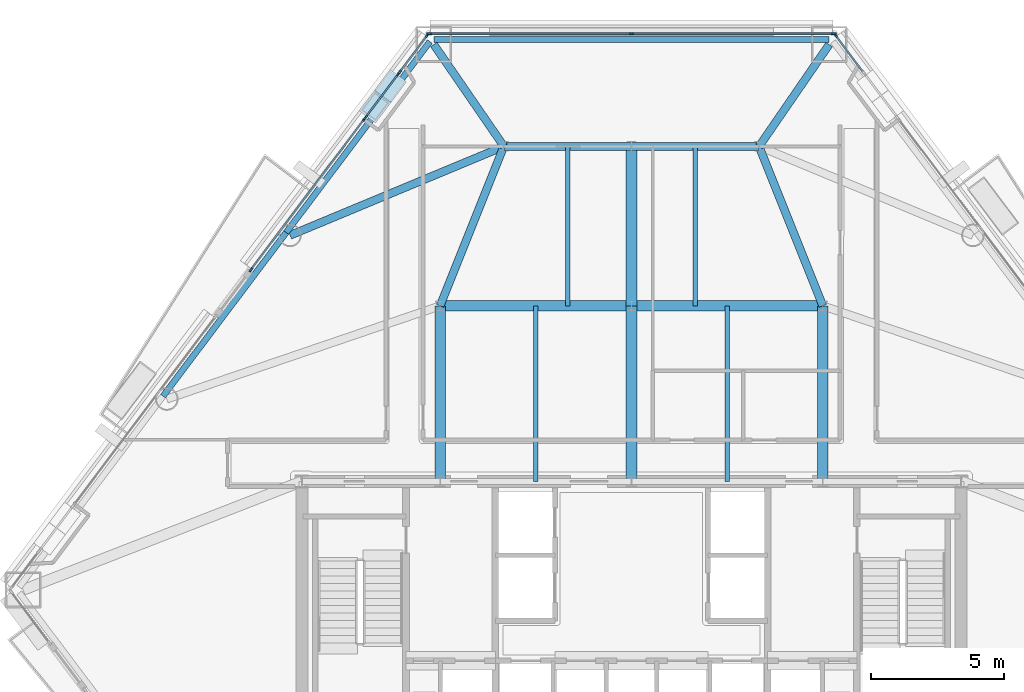
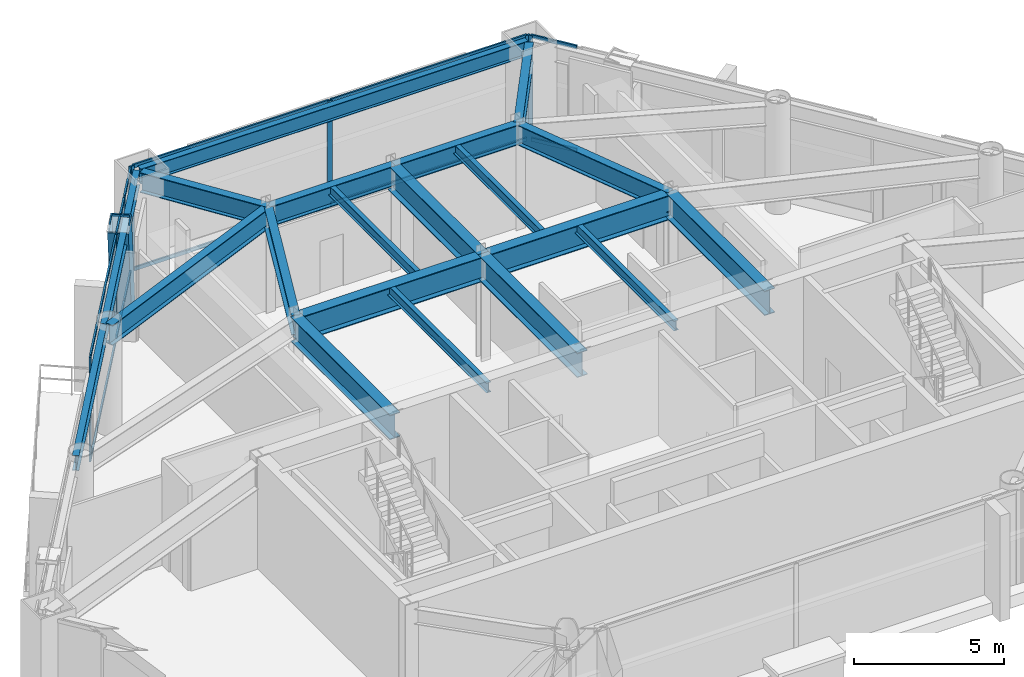
# One storey, part 3 of 10: 23 members, 20 beams, 5 elements without a shape of their own.
"""IFC4 building model written with IfcOpenShell, lengths in metres."""

from ifc_helpers import new_model, si_unit, direction, frame, origin, origin_2d, place, context, subcontext, project, spatial, rectangle, hollow_rectangle, i_section, extrude, material, layer, layer_set, material_profile, profile_set, type_object, element, aggregate, save


model = new_model("IFC4")

# Units and contexts
model_context = context("Model", 3, precision=1e-05, world=origin(), true_north=direction((0.0, 1.0)))
body_context = subcontext(model_context, "Body", "Model", "MODEL_VIEW")
ifc_project = project(units=[si_unit("LENGTHUNIT", "METRE"), si_unit("AREAUNIT", "SQUARE_METRE"), si_unit("VOLUMEUNIT", "CUBIC_METRE"), si_unit("PLANEANGLEUNIT", "RADIAN"), si_unit("MASSUNIT", "GRAM", prefix="KILO")], contexts=[model_context])

# Site, building, storey
site_placement = place(None, origin())
site = spatial("IfcSite", under=ifc_project, at=site_placement, CompositionType="ELEMENT")
building_placement = place(site_placement, origin())
building = spatial("IfcBuilding", under=site, at=building_placement, Name="Talgorran Terracotta Tower", CompositionType="ELEMENT")
storey_placement = place(building_placement, frame((0.0, 0.0, 60.300048828125)))
storey = spatial("IfcBuildingStorey", under=building, at=storey_placement, Name="L15", CompositionType="ELEMENT", Elevation=60.300048828125)

# Beams
ifc_material_1 = material(Name="Steel Grade 350 (350L0)", Category="steel")
ifc_material_profile_1 = material_profile(ifc_material_1, i_section(OverallWidth=0.39990234375, OverallDepth=1.0, WebThickness=0.01611328125, FlangeThickness=0.031005859375, at=origin_2d()), Name="1000WB296")
ifc_profile_set_1 = profile_set([ifc_material_profile_1], Name="Steel Grade 350 (350L0)")
beam_type_1 = type_object("IfcBeamType", Name="BM_1000WB296", PredefinedType="BEAM", material=ifc_profile_set_1)
for number, where, z_axis, x_axis, name in (
    (1, (-7.199951171875, -4.199951171875, 3.75), (0.0, 1.0, 0.0), (-1.0, 0.0, 0.0), "L15 Floor Girder G01"),
    (2, (0.0, -4.199951171875, 3.75), (0.0, 1.0, 0.0), (-1.0, 0.0, 0.0), "L15 Floor Girder G02"),
    (3, (7.199951171875, -4.199951171875, 3.75), (0.0, 1.0, 0.0), (-1.0, 0.0, 0.0), "L15 Floor Girder G03"),
):
    element("IfcBeam", number, at=place(storey_placement, frame(where, z_axis=z_axis, x_axis=x_axis)), inside=storey, type_object=beam_type_1, Name=name, PredefinedType="BEAM", context=body_context, shape_type="SweptSolid", body=[
        extrude(i_section(OverallWidth=0.39990234375, OverallDepth=1.0, WebThickness=0.01611328125, FlangeThickness=0.031005859375, at=origin_2d()), origin(), (0.0, 0.0, 1.0), 6.599853515625),
    ])
for number, where, z_axis, x_axis, name in (
    (4, (-7.199951171875, 2.39990234375, 3.75), (1.0, 0.0, 0.0), (0.0, 1.0, 0.0), "L15 Floor Girder G04"),
    (5, (0.0, 2.39990234375, 3.75), (1.0, 0.0, 0.0), (0.0, 1.0, 0.0), "L15 Floor Girder G05"),
):
    element("IfcBeam", number, at=place(storey_placement, frame(where, z_axis=z_axis, x_axis=x_axis)), inside=storey, type_object=beam_type_1, Name=name, PredefinedType="BEAM", context=body_context, shape_type="SweptSolid", body=[
        extrude(i_section(OverallWidth=0.39990234375, OverallDepth=1.0, WebThickness=0.01611328125, FlangeThickness=0.031005859375, at=origin_2d()), origin(), (0.0, 0.0, 1.0), 7.199951171875),
    ])
beam_1_placement = place(storey_placement, frame((0.0, 2.39990234375, 3.75), z_axis=(0.0, 1.0, 0.0), x_axis=(-1.0, 0.0, 0.0)))
element("IfcBeam", 6, at=beam_1_placement, inside=storey, type_object=beam_type_1, Name="L15 Floor Girder G09", PredefinedType="BEAM", context=body_context, shape_type="SweptSolid", body=[
    extrude(i_section(OverallWidth=0.39990234375, OverallDepth=1.0, WebThickness=0.01611328125, FlangeThickness=0.031005859375, at=origin_2d()), origin(), (0.0, 0.0, 1.0), 6.0),
])
ifc_material_2 = material(Name="Steel S355 (300PLUS)", Category="steel")
ifc_material_profile_2 = material_profile(ifc_material_2, i_section(OverallWidth=0.300048828125, OverallDepth=0.81591796875, WebThickness=0.013916015625, FlangeThickness=0.028076171875, at=origin_2d()), Name="800WB192")
ifc_profile_set_2 = profile_set([ifc_material_profile_2], Name="Steel S355 (300PLUS)")
beam_type_2 = type_object("IfcBeamType", Name="BM_800WB192", PredefinedType="BEAM", material=ifc_profile_set_2)
for number, where, z_axis, x_axis, name in (
    (7, (-7.199951171875, 2.39990234375, 3.842041015625), (0.371377648723, 0.928481901832, 0.0), (-0.928481901832, 0.371377648723, 0.0), "L15 Floor Girder G08"),
    (8, (7.199951171875, 2.39990234375, 3.842041015625), (-0.371377648723, 0.928481901832, 0.0), (-0.928481901832, -0.371377648723, 0.0), "L15 Floor Girder G10"),
):
    element("IfcBeam", number, at=place(storey_placement, frame(where, z_axis=z_axis, x_axis=x_axis)), inside=storey, type_object=beam_type_2, Name=name, PredefinedType="BEAM", context=body_context, shape_type="SweptSolid", body=[
        extrude(i_section(OverallWidth=0.300048828125, OverallDepth=0.81591796875, WebThickness=0.013916015625, FlangeThickness=0.028076171875, at=origin_2d()), origin(), (0.0, 0.0, 1.0), 6.462158203125),
    ])
for number, where, z_axis, x_axis, name in (
    (9, (-4.800048828125, 8.39990234375, 3.842041015625), (1.0, 0.0, 0.0), (0.0, 1.0, 0.0), "L15 Floor Girder G11"),
    (10, (0.0, 8.39990234375, 3.842041015625), (1.0, 0.0, 0.0), (0.0, 1.0, 0.0), "L15 Floor Girder G12"),
):
    element("IfcBeam", number, at=place(storey_placement, frame(where, z_axis=z_axis, x_axis=x_axis)), inside=storey, type_object=beam_type_2, Name=name, PredefinedType="BEAM", context=body_context, shape_type="SweptSolid", body=[
        extrude(i_section(OverallWidth=0.300048828125, OverallDepth=0.81591796875, WebThickness=0.013916015625, FlangeThickness=0.028076171875, at=origin_2d()), origin(), (0.0, 0.0, 1.0), 4.800048828125),
    ])
beam_2_placement = place(storey_placement, frame((-4.800048828125, 8.39990234375, 3.842041015625), z_axis=(-0.923207843364, -0.384301025177, 0.0), x_axis=(0.384301025177, -0.923207843364, 0.0)))
element("IfcBeam", 11, at=beam_2_placement, inside=storey, type_object=beam_type_2, Name="L15 Floor Girder G13", PredefinedType="BEAM", context=body_context, shape_type="SweptSolid", body=[
    extrude(i_section(OverallWidth=0.300048828125, OverallDepth=0.81591796875, WebThickness=0.013916015625, FlangeThickness=0.028076171875, at=origin_2d()), origin(), (0.0, 0.0, 1.0), 8.713623046875),
])
for number, where, z_axis, x_axis, name in (
    (12, (-4.800048828125, 8.39990234375, 3.842041015625), (-0.56684497014, 0.823824483629, 0.0), (-0.823824483629, -0.56684497014, 0.0), "L15 Floor Girder G15"),
    (13, (4.800048828125, 8.39990234375, 3.842041015625), (0.56684497014, 0.823824483629, 0.0), (-0.823824483629, 0.56684497014, 0.0), "L15 Floor Girder G16"),
):
    element("IfcBeam", number, at=place(storey_placement, frame(where, z_axis=z_axis, x_axis=x_axis)), inside=storey, type_object=beam_type_2, Name=name, PredefinedType="BEAM", context=body_context, shape_type="SweptSolid", body=[
        extrude(i_section(OverallWidth=0.300048828125, OverallDepth=0.81591796875, WebThickness=0.013916015625, FlangeThickness=0.028076171875, at=origin_2d()), origin(), (0.0, 0.0, 1.0), 4.6533203125),
    ])
ifc_material_profile_3 = material_profile(ifc_material_2, i_section(OverallWidth=0.177734375, OverallDepth=0.406494140625, WebThickness=0.0078125, FlangeThickness=0.0126953125, at=origin_2d()), Name="410UB59.7")
ifc_profile_set_3 = profile_set([ifc_material_profile_3], Name="Steel S355 (300PLUS)")
beam_type_3 = type_object("IfcBeamType", Name="BM_JS_410UB60", PredefinedType="JOIST", material=ifc_profile_set_3)
for number, where, z_axis, x_axis, name in (
    (14, (-3.60009765625, -4.199951171875, 4.046630859375), (0.0, 1.0, 0.0), (-1.0, 0.0, 0.0), "L15 Secondary Joist J01"),
    (15, (3.60009765625, -4.199951171875, 4.046630859375), (0.0, 1.0, 0.0), (-1.0, 0.0, 0.0), "L15 Secondary Joist J02"),
):
    element("IfcBeam", number, at=place(storey_placement, frame(where, z_axis=z_axis, x_axis=x_axis)), inside=storey, type_object=beam_type_3, Name=name, PredefinedType="JOIST", context=body_context, shape_type="SweptSolid", body=[
        extrude(i_section(OverallWidth=0.177734375, OverallDepth=0.406494140625, WebThickness=0.0078125, FlangeThickness=0.0126953125, at=origin_2d()), origin(), (0.0, 0.0, 1.0), 6.599853515625),
    ])
for number, where, z_axis, x_axis, name in (
    (16, (-2.39990234375, 2.39990234375, 4.046630859375), (0.0, 1.0, 0.0), (-1.0, 0.0, 0.0), "L15 Secondary Joist J03"),
    (17, (2.39990234375, 2.39990234375, 4.046630859375), (0.0, 1.0, 0.0), (-1.0, 0.0, 0.0), "L15 Secondary Joist J04"),
):
    element("IfcBeam", number, at=place(storey_placement, frame(where, z_axis=z_axis, x_axis=x_axis)), inside=storey, type_object=beam_type_3, Name=name, PredefinedType="JOIST", context=body_context, shape_type="SweptSolid", body=[
        extrude(i_section(OverallWidth=0.177734375, OverallDepth=0.406494140625, WebThickness=0.0078125, FlangeThickness=0.0126953125, at=origin_2d()), origin(), (0.0, 0.0, 1.0), 6.0),
    ])
ifc_material_profile_4 = material_profile(ifc_material_2, i_section(OverallWidth=0.22900390625, OverallDepth=0.611572265625, WebThickness=0.011962890625, FlangeThickness=0.01953125, at=origin_2d()), Name="610UB125")
ifc_profile_set_4 = profile_set([ifc_material_profile_4], Name="Steel S355 (300PLUS)")
beam_type_4 = type_object("IfcBeamType", Name="BM_SP_610UB125", PredefinedType="SPANDREL", material=ifc_profile_set_4)
beam_3_placement = place(storey_placement, frame((7.437744140625, 12.413330078125, 3.944091796875), z_axis=(-1.0, 0.0, 0.0), x_axis=(0.0, -1.0, 0.0)))
element("IfcBeam", 18, at=beam_3_placement, inside=storey, type_object=beam_type_4, Name="L15 Perimeter Spandrel Beam MC5-MC6", PredefinedType="SPANDREL", context=body_context, shape_type="SweptSolid", body=[
    extrude(i_section(OverallWidth=0.22900390625, OverallDepth=0.611572265625, WebThickness=0.011962890625, FlangeThickness=0.01953125, at=origin_2d()), origin(), (0.0, 0.0, 1.0), 14.87548828125),
])
beam_4_placement = place(storey_placement, frame((-7.58154296875, 12.341552734375, 3.944091796875), z_axis=(-0.601446008666, -0.798913448791, 0.0), x_axis=(0.798913448791, -0.601446008666, 0.0)))
element("IfcBeam", 19, at=beam_4_placement, inside=storey, type_object=beam_type_4, Name="L15 Perimeter Spandrel Beam MC6-FC5", PredefinedType="SPANDREL", context=body_context, shape_type="SweptSolid", body=[
    extrude(i_section(OverallWidth=0.22900390625, OverallDepth=0.611572265625, WebThickness=0.011962890625, FlangeThickness=0.01953125, at=origin_2d()), origin(), (0.0, 0.0, 1.0), 8.989501953125),
])
beam_5_placement = place(storey_placement, frame((-12.98828125, 5.15966796875, 3.944091796875), z_axis=(-0.601413481794, -0.798937934959, 0.0), x_axis=(0.798937934959, -0.601413481794, 0.0)))
element("IfcBeam", 20, at=beam_5_placement, inside=storey, type_object=beam_type_4, Name="L15 Perimeter Spandrel Beam FC5-FC6", PredefinedType="SPANDREL", context=body_context, shape_type="SweptSolid", body=[
    extrude(i_section(OverallWidth=0.22900390625, OverallDepth=0.611572265625, WebThickness=0.011962890625, FlangeThickness=0.01953125, at=origin_2d()), origin(), (0.0, 0.0, 1.0), 7.705322265625),
])

# Member
ifc_material_profile_5 = material_profile(ifc_material_1, hollow_rectangle(XDim=0.699951171875, YDim=0.89990234375, WallThickness=0.050048828125, at=origin_2d()), Name="WBOX900X700X50")
ifc_profile_set_5 = profile_set([ifc_material_profile_5], Name="Steel Grade 350 (350L0)")
member_type_1 = type_object("IfcMemberType", Name="MB_MEGA_900", PredefinedType="BRACE", material=ifc_profile_set_5)
member_1_placement = place(storey_placement, frame((-9.0634765625, 10.67236328125, -0.025146484375), z_axis=(-0.131946493077, -0.175263939587, 0.975639623245), x_axis=(0.79890788085, -0.601453404609, 0.0)))
element("IfcMember", 21, at=member_1_placement, inside=storey, type_object=member_type_1, Name="L15 Exterior Face Mega-Brace MB-1 (NWU)", PredefinedType="BRACE", context=body_context, shape_type="SweptSolid", body=[
    extrude(hollow_rectangle(XDim=0.699951171875, YDim=0.89990234375, WallThickness=0.050048828125, at=origin_2d()), origin(), (0.0, 0.0, 1.0), 4.407470703125),
])

# Curtain wall, member
ifc_material_3 = material(Name="Unitised Low-E Double Glazing", Category="glass")
ifc_layer = layer(ifc_material_3, 0.199951171875, Name="CW_SYS2_RES_LOW")
ifc_layer_set = layer_set([ifc_layer], Name="Unitised Low-E Double Glazing")
curtain_wall_type = type_object("IfcCurtainWallType", Name="CW_SYS2_RES_LOW", PredefinedType="NOTDEFINED", material=ifc_layer_set)
curtain_wall_1_placement = place(storey_placement, origin())
curtain_wall_1 = element("IfcCurtainWall", 22, at=curtain_wall_1_placement, inside=storey, type_object=curtain_wall_type, Name="CW-L15-F41C", PredefinedType="NOTDEFINED")
ifc_material_4 = material(Name="Architectural Aluminium 6063-T6", Category="aluminium")
ifc_material_profile_6 = material_profile(ifc_material_4, rectangle(XDim=0.06494140625, YDim=0.18505859375, at=origin_2d()), Name="CWM65X185")
ifc_profile_set_6 = profile_set([ifc_material_profile_6], Name="Architectural Aluminium 6063-T6")
member_type_2 = type_object("IfcMemberType", Name="MUL_65X185", PredefinedType="MULLION", material=ifc_profile_set_6)
member_2_placement = place(storey_placement, frame((7.680908203125, 12.575439453125, 0.0), z_axis=(0.0, 0.0, 1.0), x_axis=(-0.798906133428, -0.601455725695, 0.0)))
member_2 = element("IfcMember", 23, at=member_2_placement, type_object=member_type_2, Name="CW-L15-41C mullion 2", PredefinedType="MULLION", context=body_context, shape_type="SweptSolid", body=[
    extrude(rectangle(XDim=0.06494140625, YDim=0.18505859375, at=origin_2d()), origin(), (0.0, 0.0, 1.0), 4.25),
])

# Curtain wall, members
curtain_wall_2_placement = place(storey_placement, origin())
curtain_wall_2 = element("IfcCurtainWall", 24, at=curtain_wall_2_placement, inside=storey, type_object=curtain_wall_type, Name="CW-L15-F4", PredefinedType="NOTDEFINED")
member_3_placement = place(storey_placement, frame((7.604736328125, 12.63330078125, 0.0), z_axis=(0.0, 0.0, 1.0), x_axis=(0.0, -1.0, 0.0)))
member_3 = element("IfcMember", 25, at=member_3_placement, type_object=member_type_2, Name="CW-L15-4 mullion 1", PredefinedType="MULLION", context=body_context, shape_type="SweptSolid", body=[
    extrude(rectangle(XDim=0.06494140625, YDim=0.18505859375, at=origin_2d()), origin(), (0.0, 0.0, 1.0), 4.25),
])
member_4_placement = place(storey_placement, frame((0.0, 12.63330078125, 0.0), z_axis=(0.0, 0.0, 1.0), x_axis=(0.0, -1.0, 0.0)))
member_4 = element("IfcMember", 26, at=member_4_placement, type_object=member_type_2, Name="CW-L15-4 mullion 2", PredefinedType="MULLION", context=body_context, shape_type="SweptSolid", body=[
    extrude(rectangle(XDim=0.06494140625, YDim=0.18505859375, at=origin_2d()), origin(), (0.0, 0.0, 1.0), 4.25),
])
member_5_placement = place(storey_placement, frame((-7.604736328125, 12.63330078125, 0.0), z_axis=(0.0, 0.0, 1.0), x_axis=(0.0, -1.0, 0.0)))
member_5 = element("IfcMember", 27, at=member_5_placement, type_object=member_type_2, Name="CW-L15-4 mullion 3", PredefinedType="MULLION", context=body_context, shape_type="SweptSolid", body=[
    extrude(rectangle(XDim=0.06494140625, YDim=0.18505859375, at=origin_2d()), origin(), (0.0, 0.0, 1.0), 4.25),
])

curtain_wall_3_placement = place(storey_placement, origin())
curtain_wall_3 = element("IfcCurtainWall", 28, at=curtain_wall_3_placement, inside=storey, type_object=curtain_wall_type, Name="CW-L15-F60", PredefinedType="NOTDEFINED")
member_6_placement = place(storey_placement, frame((-7.680908203125, 12.575439453125, 0.0), z_axis=(0.0, 0.0, 1.0), x_axis=(0.798906133428, -0.601455725695, 0.0)))
member_6 = element("IfcMember", 29, at=member_6_placement, type_object=member_type_2, Name="CW-L15-60 mullion 1", PredefinedType="MULLION", context=body_context, shape_type="SweptSolid", body=[
    extrude(rectangle(XDim=0.06494140625, YDim=0.18505859375, at=origin_2d()), origin(), (0.0, 0.0, 1.0), 4.25),
])
member_7_placement = place(storey_placement, frame((-8.718505859375, 11.197021484375, 0.0), z_axis=(0.0, 0.0, 1.0), x_axis=(0.798906133428, -0.601455725695, 0.0)))
member_7 = element("IfcMember", 30, at=member_7_placement, type_object=member_type_2, Name="CW-L15-60 mullion 2", PredefinedType="MULLION", context=body_context, shape_type="SweptSolid", body=[
    extrude(rectangle(XDim=0.06494140625, YDim=0.18505859375, at=origin_2d()), origin(), (0.0, 0.0, 1.0), 4.25),
])

curtain_wall_4_placement = place(storey_placement, origin())
curtain_wall_4 = element("IfcCurtainWall", 31, at=curtain_wall_4_placement, inside=storey, type_object=curtain_wall_type, Name="CW-L15-F60B", PredefinedType="NOTDEFINED")
member_8_placement = place(storey_placement, frame((-8.763671875, 11.136962890625, 0.0), z_axis=(0.0, 0.0, 1.0), x_axis=(0.798930868985, -0.601422868358, 0.0)))
member_8 = element("IfcMember", 32, at=member_8_placement, type_object=member_type_2, Name="CW-L15-60B mullion 1", PredefinedType="MULLION", context=body_context, shape_type="SweptSolid", body=[
    extrude(rectangle(XDim=0.06494140625, YDim=0.18505859375, at=origin_2d()), origin(), (0.0, 0.0, 1.0), 4.25),
])
member_9_placement = place(storey_placement, frame((-10.008544921875, 9.483154296875, 0.0), z_axis=(0.0, 0.0, 1.0), x_axis=(0.798930868985, -0.601422868358, 0.0)))
member_9 = element("IfcMember", 33, at=member_9_placement, type_object=member_type_2, Name="CW-L15-60B mullion 2", PredefinedType="MULLION", context=body_context, shape_type="SweptSolid", body=[
    extrude(rectangle(XDim=0.06494140625, YDim=0.18505859375, at=origin_2d()), origin(), (0.0, 0.0, 1.0), 4.25),
])

curtain_wall_5_placement = place(storey_placement, origin())
curtain_wall_5 = element("IfcCurtainWall", 34, at=curtain_wall_5_placement, inside=storey, type_object=curtain_wall_type, Name="CW-L15-F60C", PredefinedType="NOTDEFINED")
member_10_placement = place(storey_placement, frame((-10.0537109375, 9.42333984375, 0.0), z_axis=(0.0, 0.0, 1.0), x_axis=(0.798919171588, -0.601438406879, 0.0)))
member_10 = element("IfcMember", 35, at=member_10_placement, type_object=member_type_2, Name="CW-L15-60C mullion 1", PredefinedType="MULLION", context=body_context, shape_type="SweptSolid", body=[
    extrude(rectangle(XDim=0.06494140625, YDim=0.18505859375, at=origin_2d()), origin(), (0.0, 0.0, 1.0), 4.25),
])
member_11_placement = place(storey_placement, frame((-14.3134765625, 3.764892578125, 0.0), z_axis=(0.0, 0.0, 1.0), x_axis=(0.798919171588, -0.601438406879, 0.0)))
member_11 = element("IfcMember", 36, at=member_11_placement, type_object=member_type_2, Name="CW-L15-60C mullion 2", PredefinedType="MULLION", context=body_context, shape_type="SweptSolid", body=[
    extrude(rectangle(XDim=0.06494140625, YDim=0.18505859375, at=origin_2d()), origin(), (0.0, 0.0, 1.0), 4.25),
])

# Member
ifc_material_profile_7 = material_profile(ifc_material_4, rectangle(XDim=0.06494140625, YDim=0.14990234375, at=origin_2d()), Name="CWT65X150")
ifc_profile_set_7 = profile_set([ifc_material_profile_7], Name="Architectural Aluminium 6063-T6")
member_type_3 = type_object("IfcMemberType", Name="TRN_65X150", PredefinedType="USERDEFINED", material=ifc_profile_set_7)
member_12_placement = place(storey_placement, frame((8.698974609375, 11.222900390625, 0.032470703125), z_axis=(-0.601434241842, 0.798922307073, 0.0), x_axis=(-0.798922307073, -0.601434241842, 0.0)))
member_12 = element("IfcMember", 37, at=member_12_placement, type_object=member_type_3, Name="CW-L15-41C transom 1.1", ObjectType="TRANSOM", PredefinedType="USERDEFINED", context=body_context, shape_type="SweptSolid", body=[
    extrude(rectangle(XDim=0.06494140625, YDim=0.14990234375, at=origin_2d()), origin(), (0.0, 0.0, 1.0), 1.66015625),
])

member_13_placement = place(storey_placement, frame((8.698974609375, 11.222900390625, 4.217529296875), z_axis=(-0.601434241842, 0.798922307073, 0.0), x_axis=(-0.798922307073, -0.601434241842, 0.0)))
member_13 = element("IfcMember", 38, at=member_13_placement, type_object=member_type_3, Name="CW-L15-41C transom 1.2", ObjectType="TRANSOM", PredefinedType="USERDEFINED", context=body_context, shape_type="SweptSolid", body=[
    extrude(rectangle(XDim=0.06494140625, YDim=0.14990234375, at=origin_2d()), origin(), (0.0, 0.0, 1.0), 1.66015625),
])

aggregate(curtain_wall_1, [member_2, member_12, member_13])

member_14_placement = place(storey_placement, frame((7.572265625, 12.63330078125, 0.032470703125), z_axis=(-1.0, 0.0, 0.0), x_axis=(0.0, -1.0, 0.0)))
member_14 = element("IfcMember", 39, at=member_14_placement, type_object=member_type_3, Name="CW-L15-4 transom 1.1", ObjectType="TRANSOM", PredefinedType="USERDEFINED", context=body_context, shape_type="SweptSolid", body=[
    extrude(rectangle(XDim=0.06494140625, YDim=0.14990234375, at=origin_2d()), origin(), (0.0, 0.0, 1.0), 7.539794921875),
])

member_15_placement = place(storey_placement, frame((7.572265625, 12.63330078125, 4.217529296875), z_axis=(-1.0, 0.0, 0.0), x_axis=(0.0, -1.0, 0.0)))
member_15 = element("IfcMember", 40, at=member_15_placement, type_object=member_type_3, Name="CW-L15-4 transom 1.2", ObjectType="TRANSOM", PredefinedType="USERDEFINED", context=body_context, shape_type="SweptSolid", body=[
    extrude(rectangle(XDim=0.06494140625, YDim=0.14990234375, at=origin_2d()), origin(), (0.0, 0.0, 1.0), 7.539794921875),
])

member_16_placement = place(storey_placement, frame((-0.032470703125, 12.63330078125, 0.032470703125), z_axis=(-1.0, 0.0, 0.0), x_axis=(0.0, -1.0, 0.0)))
member_16 = element("IfcMember", 41, at=member_16_placement, type_object=member_type_3, Name="CW-L15-4 transom 2.1", ObjectType="TRANSOM", PredefinedType="USERDEFINED", context=body_context, shape_type="SweptSolid", body=[
    extrude(rectangle(XDim=0.06494140625, YDim=0.14990234375, at=origin_2d()), origin(), (0.0, 0.0, 1.0), 7.539794921875),
])

member_17_placement = place(storey_placement, frame((-0.032470703125, 12.63330078125, 4.217529296875), z_axis=(-1.0, 0.0, 0.0), x_axis=(0.0, -1.0, 0.0)))
member_17 = element("IfcMember", 42, at=member_17_placement, type_object=member_type_3, Name="CW-L15-4 transom 2.2", ObjectType="TRANSOM", PredefinedType="USERDEFINED", context=body_context, shape_type="SweptSolid", body=[
    extrude(rectangle(XDim=0.06494140625, YDim=0.14990234375, at=origin_2d()), origin(), (0.0, 0.0, 1.0), 7.539794921875),
])

aggregate(curtain_wall_2, [member_3, member_4, member_5, member_14, member_15, member_16, member_17])

member_18_placement = place(storey_placement, frame((-7.700439453125, 12.54931640625, 0.032470703125), z_axis=(-0.601434241842, -0.798922307073, 0.0), x_axis=(0.798922307073, -0.601434241842, 0.0)))
member_18 = element("IfcMember", 43, at=member_18_placement, type_object=member_type_3, Name="CW-L15-60 transom 1.1", ObjectType="TRANSOM", PredefinedType="USERDEFINED", context=body_context, shape_type="SweptSolid", body=[
    extrude(rectangle(XDim=0.06494140625, YDim=0.14990234375, at=origin_2d()), origin(), (0.0, 0.0, 1.0), 1.66015625),
])

member_19_placement = place(storey_placement, frame((-7.700439453125, 12.54931640625, 4.217529296875), z_axis=(-0.601434241842, -0.798922307073, 0.0), x_axis=(0.798922307073, -0.601434241842, 0.0)))
member_19 = element("IfcMember", 44, at=member_19_placement, type_object=member_type_3, Name="CW-L15-60 transom 1.2", ObjectType="TRANSOM", PredefinedType="USERDEFINED", context=body_context, shape_type="SweptSolid", body=[
    extrude(rectangle(XDim=0.06494140625, YDim=0.14990234375, at=origin_2d()), origin(), (0.0, 0.0, 1.0), 1.66015625),
])

aggregate(curtain_wall_3, [member_6, member_7, member_18, member_19])

member_20_placement = place(storey_placement, frame((-8.783203125, 11.111083984375, 0.032470703125), z_axis=(-0.601362818016, -0.798976070423, 0.0), x_axis=(0.798976070423, -0.601362818016, 0.0)))
member_20 = element("IfcMember", 45, at=member_20_placement, type_object=member_type_3, Name="CW-L15-60B transom 1.1", ObjectType="TRANSOM", PredefinedType="USERDEFINED", context=body_context, shape_type="SweptSolid", body=[
    extrude(rectangle(XDim=0.06494140625, YDim=0.14990234375, at=origin_2d()), origin(), (0.0, 0.0, 1.0), 2.005126953125),
])

member_21_placement = place(storey_placement, frame((-8.783203125, 11.111083984375, 4.217529296875), z_axis=(-0.601362818016, -0.798976070423, 0.0), x_axis=(0.798976070423, -0.601362818016, 0.0)))
member_21 = element("IfcMember", 46, at=member_21_placement, type_object=member_type_3, Name="CW-L15-60B transom 1.2", ObjectType="TRANSOM", PredefinedType="USERDEFINED", context=body_context, shape_type="SweptSolid", body=[
    extrude(rectangle(XDim=0.06494140625, YDim=0.14990234375, at=origin_2d()), origin(), (0.0, 0.0, 1.0), 2.005126953125),
])

aggregate(curtain_wall_4, [member_8, member_9, member_20, member_21])

member_22_placement = place(storey_placement, frame((-10.0732421875, 9.397216796875, 0.032470703125), z_axis=(-0.601446274369, -0.798913248762, 0.0), x_axis=(0.798913248762, -0.601446274369, 0.0)))
member_22 = element("IfcMember", 47, at=member_22_placement, type_object=member_type_3, Name="CW-L15-60C transom 1.1", ObjectType="TRANSOM", PredefinedType="USERDEFINED", context=body_context, shape_type="SweptSolid", body=[
    extrude(rectangle(XDim=0.06494140625, YDim=0.14990234375, at=origin_2d()), origin(), (0.0, 0.0, 1.0), 7.017578125),
])

member_23_placement = place(storey_placement, frame((-10.0732421875, 9.397216796875, 4.217529296875), z_axis=(-0.601446274369, -0.798913248762, 0.0), x_axis=(0.798913248762, -0.601446274369, 0.0)))
member_23 = element("IfcMember", 48, at=member_23_placement, type_object=member_type_3, Name="CW-L15-60C transom 1.2", ObjectType="TRANSOM", PredefinedType="USERDEFINED", context=body_context, shape_type="SweptSolid", body=[
    extrude(rectangle(XDim=0.06494140625, YDim=0.14990234375, at=origin_2d()), origin(), (0.0, 0.0, 1.0), 7.017578125),
])

aggregate(curtain_wall_5, [member_10, member_11, member_22, member_23])

save(model, "model.ifc")
